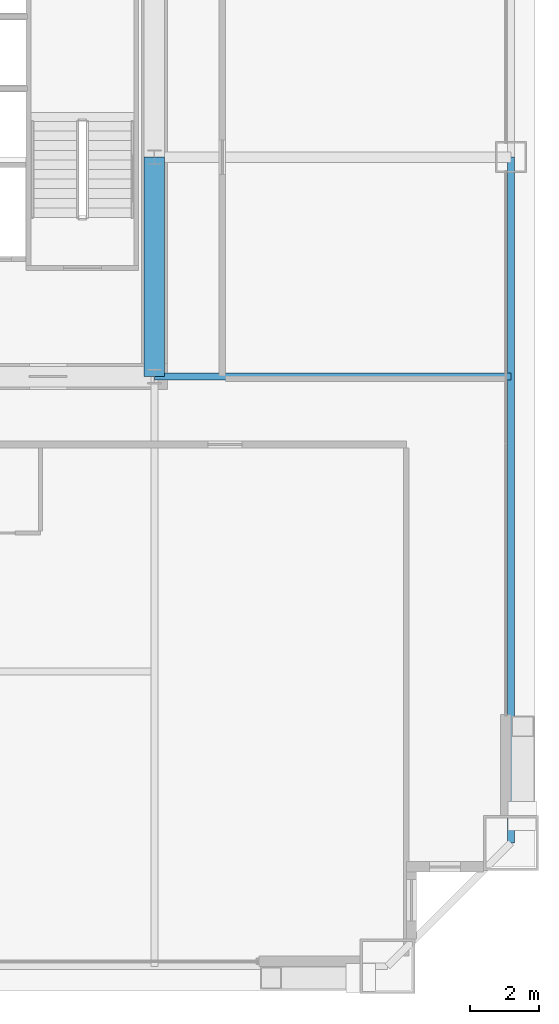
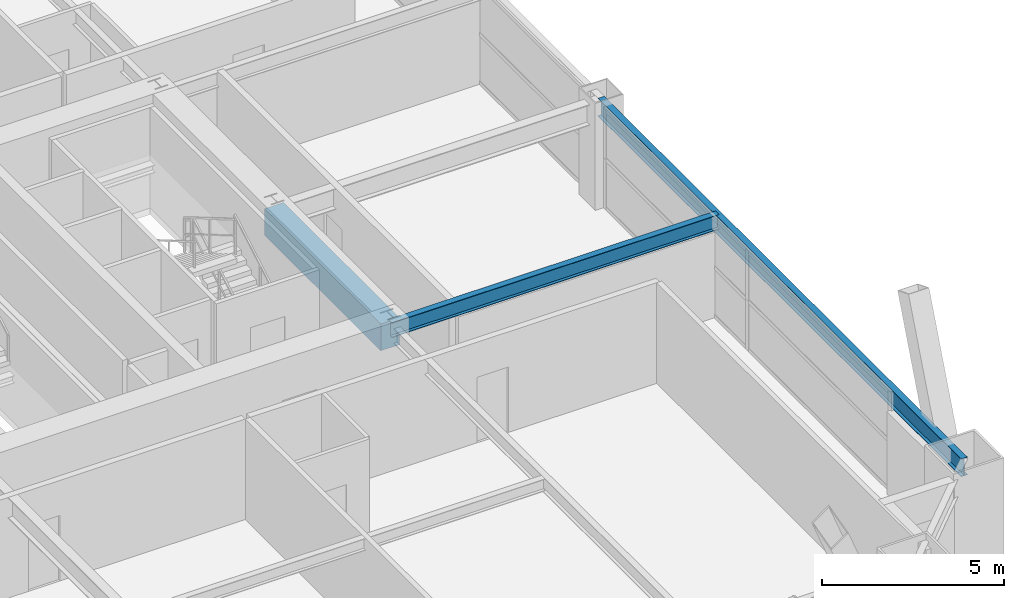
# One storey, part 19 of 43: 3 beams.
"""IFC4 building model written with IfcOpenShell, lengths in metres."""

from ifc_helpers import new_model, si_unit, direction, frame, origin, origin_2d, place, context, subcontext, project, spatial, rectangle, i_section, extrude, source, transform, mapped, material, material_profile, profile_set, type_object, element, save


model = new_model("IFC4")

# Units and contexts
model_context = context("Model", 3, precision=1e-05, world=origin(), true_north=direction((0.0, 1.0)))
body_context = subcontext(model_context, "Body", "Model", "MODEL_VIEW")
ifc_project = project(units=[si_unit("LENGTHUNIT", "METRE"), si_unit("AREAUNIT", "SQUARE_METRE"), si_unit("VOLUMEUNIT", "CUBIC_METRE"), si_unit("PLANEANGLEUNIT", "RADIAN"), si_unit("MASSUNIT", "GRAM", prefix="KILO"), si_unit("THERMODYNAMICTEMPERATUREUNIT", "KELVIN"), si_unit("POWERUNIT", "WATT")], contexts=[model_context])

# Site, building, storey
site_placement = place(None, origin())
site = spatial("IfcSite", under=ifc_project, at=site_placement, CompositionType="ELEMENT")
building_placement = place(site_placement, origin())
building = spatial("IfcBuilding", under=site, at=building_placement, Name="Yuzanri Waterfront Tower", CompositionType="ELEMENT")
storey_placement = place(building_placement, frame((0.0, 0.0, 108.199951171875)))
storey = spatial("IfcBuildingStorey", under=building, at=storey_placement, Name="L28", CompositionType="ELEMENT", Elevation=108.199951171875)

# Beams
ifc_material_1 = material(Name="Concrete C60", Category="concrete")
ifc_material_profile_1 = material_profile(ifc_material_1, rectangle(XDim=0.60009765625, YDim=0.89990234375, at=origin_2d()), Name="RC 600x900")
ifc_profile_set_1 = profile_set([ifc_material_profile_1], Name="Concrete C60")
beam_type_1 = type_object("IfcBeamType", Name="Core Coupling Lintel Concrete C60 600x900", PredefinedType="LINTEL", material=ifc_profile_set_1)
shared_shape_1 = source(origin(), body_context, "Body", "SweptSolid", [
    extrude(rectangle(XDim=0.60009765625, YDim=0.89990234375, at=origin_2d()), origin(), (0.0, 0.0, 1.0), 6.400146484375),
])
beam_1_placement = place(storey_placement, frame((50.199951171875, 19.39990234375, 2.929931640625), z_axis=(0.0, 1.0, 0.0), x_axis=(-1.0, 0.0, 0.0)))
element("IfcBeam", 1, at=beam_1_placement, inside=storey, type_object=beam_type_1, Name="L28 Core Tie Beam CE1", PredefinedType="LINTEL", context=body_context, shape_type="MappedRepresentation", body=[
    mapped(shared_shape_1, transform((0.0, 0.0, 0.0), scale=1.0)),
])
ifc_material_2 = material(Name="Steel Q355B", Category="steel")
ifc_material_profile_2 = material_profile(ifc_material_2, i_section(OverallWidth=0.199951171875, OverallDepth=0.60009765625, WebThickness=0.010986328125, FlangeThickness=0.01708984375, at=origin_2d()), Name="HN 600x200x11x17")
ifc_profile_set_2 = profile_set([ifc_material_profile_2], Name="Steel Q355B")
beam_type_2 = type_object("IfcBeamType", Name="Perimeter Spandrel Q355B HN 600x200", PredefinedType="SPANDREL", material=ifc_profile_set_2)
shared_shape_2 = source(origin(), body_context, "Body", "SweptSolid", [
    extrude(i_section(OverallWidth=0.199951171875, OverallDepth=0.60009765625, WebThickness=0.010986328125, FlangeThickness=0.01708984375, at=origin_2d()), origin(), (0.0, 0.0, 1.0), 20.0),
])
beam_2_placement = place(storey_placement, frame((60.60009765625, 5.800048828125, 3.080078125), z_axis=(0.0, 1.0, 0.0), x_axis=(-1.0, 0.0, 0.0)))
element("IfcBeam", 2, at=beam_2_placement, inside=storey, type_object=beam_type_2, Name="L28 Perimeter Spandrel E1-E2", PredefinedType="SPANDREL", context=body_context, shape_type="MappedRepresentation", body=[
    mapped(shared_shape_2, transform((0.0, 0.0, 0.0), scale=1.0)),
])
ifc_material_3 = material(Name="Steel Q355B", Category="steel")
ifc_material_profile_3 = material_profile(ifc_material_3, i_section(OverallWidth=0.199951171875, OverallDepth=0.5, WebThickness=0.010009765625, FlangeThickness=0.01611328125, at=origin_2d()), Name="HN 500x200x10x16")
ifc_profile_set_3 = profile_set([ifc_material_profile_3], Name="Steel Q355B")
beam_type_3 = type_object("IfcBeamType", Name="Secondary Floor Beam Q355B HN 500x200", PredefinedType="BEAM", material=ifc_profile_set_3)
shared_shape_3 = source(origin(), body_context, "Body", "SweptSolid", [
    extrude(i_section(OverallWidth=0.199951171875, OverallDepth=0.5, WebThickness=0.010009765625, FlangeThickness=0.01611328125, at=origin_2d()), origin(), (0.0, 0.0, 1.0), 10.400146484375),
])
beam_3_placement = place(storey_placement, frame((50.199951171875, 19.39990234375, 3.130126953125), z_axis=(1.0, 0.0, 0.0), x_axis=(0.0, 1.0, 0.0)))
element("IfcBeam", 3, at=beam_3_placement, inside=storey, type_object=beam_type_3, Name="L28 East-South Core Line Beam", PredefinedType="BEAM", context=body_context, shape_type="MappedRepresentation", body=[
    mapped(shared_shape_3, transform((0.0, 0.0, 0.0), scale=1.0)),
])

save(model, "model.ifc")
